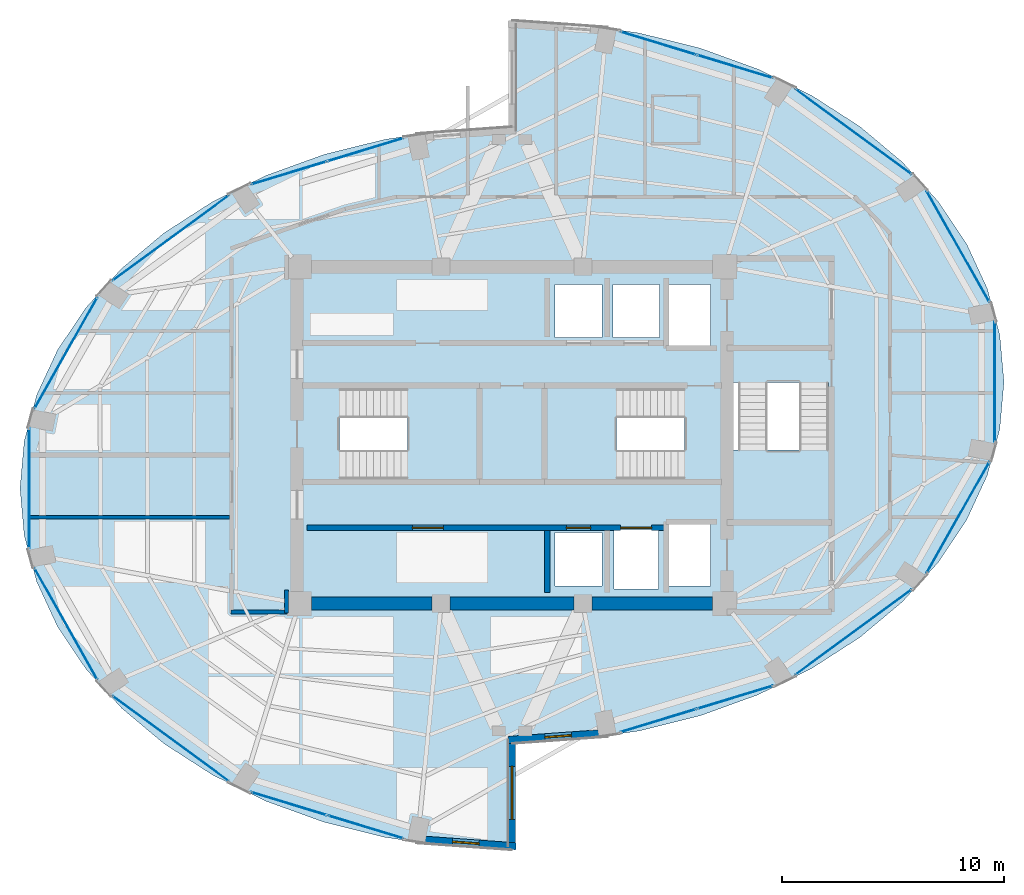
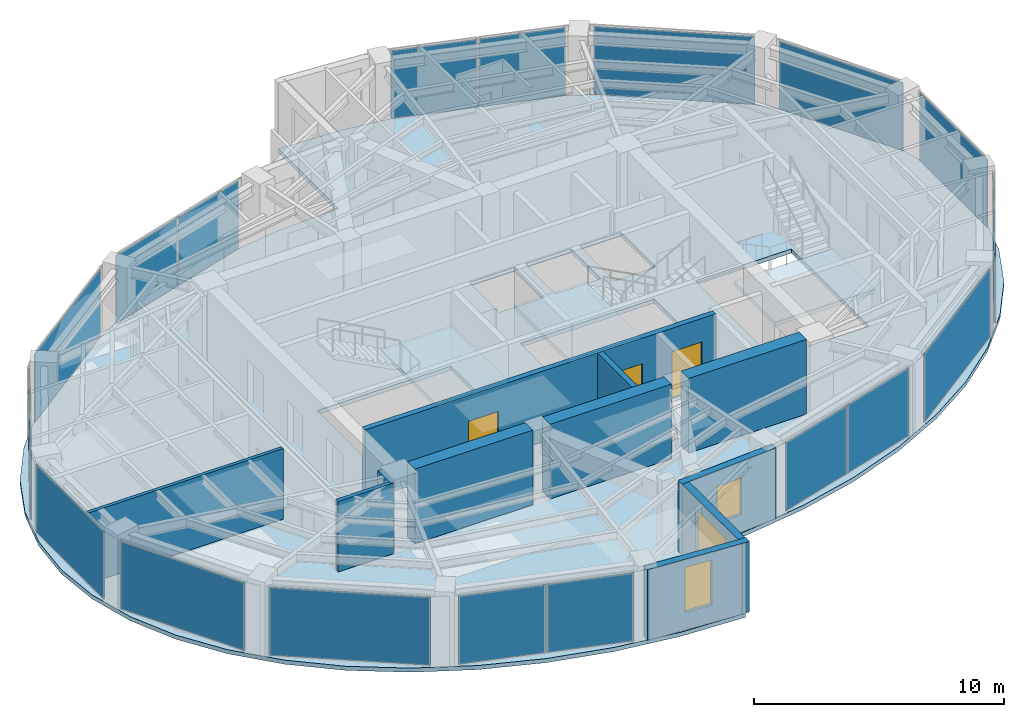
# One storey, part 18 of 23: 18 plates, 11 walls, 4 slabs, 3 doors, 3 windows, 6 openings, 17 elements without a shape of their own.
"""IFC4 building model written with IfcOpenShell, lengths in metres."""

import ifcopenshell
import ifcopenshell.guid

model = None  # the IFC model being written
_history = None  # IfcOwnerHistory: only IFC2X3 demands one
_inside = {}  # id of a spatial element -> (the spatial element, [elements in it])
_under = {}  # id of a project, library or spatial element -> (it, [spatial elements below it])
_declared = {}  # id of a project -> (the project, [libraries it declares])
_typed = {}  # id of a type object -> (the type object, [elements of that type])
_made_of = {}  # id of a material, layer set ... -> (it, [elements and type objects made of it])


def new_model(schema):
    """Start an empty IFC model of exactly this schema.

    Asked for "IFC4X3", IfcOpenShell would pick the latest addendum, in which some entities
    have other attributes; the version numbers below select the first issue.
    IFC2X3 requires an IfcOwnerHistory on every rooted entity: one is made here for all.
    """
    global model, _history
    if schema == "IFC4X3":
        model = ifcopenshell.file(schema_version=(4, 3, 0, 0))
    else:
        model = ifcopenshell.file(schema=schema)
    _inside.clear()
    _under.clear()
    _declared.clear()
    _typed.clear()
    _made_of.clear()
    _history = None
    if model.schema == "IFC2X3":
        org = make("IfcOrganization", Name="unknown")
        user = make(
            "IfcPersonAndOrganization",
            ThePerson=make("IfcPerson", FamilyName="unknown"),
            TheOrganization=org,
        )
        app = make(
            "IfcApplication",
            ApplicationDeveloper=org,
            Version="unknown",
            ApplicationFullName="unknown",
            ApplicationIdentifier="unknown",
        )
        _history = make(
            "IfcOwnerHistory",
            OwningUser=user,
            OwningApplication=app,
            ChangeAction="ADDED",
            CreationDate=0,
        )
    return model


def make(cls, **values):
    """One entity of the class cls with the attributes given. An attribute that is None is left unset."""
    return model.create_entity(
        cls, **{name: value for name, value in values.items() if value is not None}
    )


def rooted(cls, **values):
    """An entity with a GlobalId (a new one), such as an element, a storey or a relation."""
    return make(cls, GlobalId=ifcopenshell.guid.new(), OwnerHistory=_history, **values)


def si_unit(unit_type, name, prefix=None):
    """IfcSIUnit, for example si_unit("LENGTHUNIT", "METRE", prefix="MILLI")."""
    return make("IfcSIUnit", UnitType=unit_type, Prefix=prefix, Name=name)


def assignment(units):
    """IfcUnitAssignment: the units of a project."""
    return None if units is None else make("IfcUnitAssignment", Units=units)


def point(xyz):
    """IfcCartesianPoint."""
    return None if xyz is None else make("IfcCartesianPoint", Coordinates=xyz)


def direction(xyz):
    """IfcDirection."""
    return None if xyz is None else make("IfcDirection", DirectionRatios=xyz)


def frame(location, z_axis=None, x_axis=None):
    """IfcAxis2Placement3D, a coordinate frame: its origin and axes. An axis left out is left unset."""
    return make(
        "IfcAxis2Placement3D",
        Location=point(location),
        Axis=direction(z_axis),
        RefDirection=direction(x_axis),
    )


def frame_2d(location, x_axis=None):
    """IfcAxis2Placement2D, a coordinate frame in the plane: its origin and x axis."""
    return make(
        "IfcAxis2Placement2D", Location=point(location), RefDirection=direction(x_axis)
    )


def origin():
    """The frame at (0, 0, 0) with its axes left unset."""
    return frame((0.0, 0.0, 0.0))


def origin_2d():
    """The frame at (0, 0) in the plane with its x axis left unset."""
    return frame_2d((0.0, 0.0))


def place(relative_to, where):
    """IfcLocalPlacement: puts the frame where relative to a parent placement (None: the world)."""
    return make(
        "IfcLocalPlacement", PlacementRelTo=relative_to, RelativePlacement=where
    )


def context(
    kind, dimensions, precision=None, world=None, true_north=None, identifier=None
):
    """IfcGeometricRepresentationContext, for example the 3D "Model" context."""
    return make(
        "IfcGeometricRepresentationContext",
        ContextIdentifier=identifier,
        ContextType=kind,
        CoordinateSpaceDimension=dimensions,
        Precision=precision,
        WorldCoordinateSystem=world,
        TrueNorth=true_north,
    )


def subcontext(parent, identifier, kind, view, scale=None):
    """IfcGeometricRepresentationSubContext, for example "Body" below "Model"."""
    return make(
        "IfcGeometricRepresentationSubContext",
        ContextIdentifier=identifier,
        ContextType=kind,
        ParentContext=parent,
        TargetScale=scale,
        TargetView=view,
    )


def project(units=None, contexts=None):
    """IfcProject with its units and contexts."""
    return rooted(
        "IfcProject",
        Name="project",
        RepresentationContexts=contexts,
        UnitsInContext=assignment(units),
    )


def spatial(cls, under=None, at=None, **own):
    """A site, building, storey or space (cls), placed at a placement, below another one or the project."""
    s = rooted(cls, ObjectPlacement=at, **own)
    if under is not None:
        _under.setdefault(under.id(), (under, []))[1].append(s)
    return s


def polyline(points):
    """IfcPolyline through the points."""
    return make("IfcPolyline", Points=[point(p) for p in points])


def profile(cls, at=None, kind="AREA", **sizes):
    """A parametric profile (cls). Its sizes go by their IFC names, for example OverallWidth=200.0."""
    return make(cls, ProfileType=kind, Position=at, **sizes)


def rectangle(**sizes):
    """IfcRectangleProfileDef."""
    return profile("IfcRectangleProfileDef", **sizes)


def outline(outer, holes=None, kind="AREA"):
    """IfcArbitraryClosedProfileDef: a profile drawn as a closed curve; with holes, ...WithVoids."""
    if holes is None:
        return make("IfcArbitraryClosedProfileDef", ProfileType=kind, OuterCurve=outer)
    return make(
        "IfcArbitraryProfileDefWithVoids",
        ProfileType=kind,
        OuterCurve=outer,
        InnerCurves=holes,
    )


def extrude(swept, where, along, depth):
    """IfcExtrudedAreaSolid: the profile swept, set in the frame where, extruded along a direction by depth."""
    return make(
        "IfcExtrudedAreaSolid",
        SweptArea=swept,
        Position=where,
        ExtrudedDirection=direction(along),
        Depth=depth,
    )


def shape(context_of_items, identifier, shape_type, items):
    """IfcShapeRepresentation: the items that make up one representation, for example the "Body"."""
    return make(
        "IfcShapeRepresentation",
        ContextOfItems=context_of_items,
        RepresentationIdentifier=identifier,
        RepresentationType=shape_type,
        Items=items,
    )


def material(Name=None, Category=None):
    """IfcMaterial."""
    return make("IfcMaterial", Name=Name, Category=Category)


def layer(
    of_material, thickness, ventilated=None, Name=None, Category=None, Priority=None
):
    """IfcMaterialLayer: one layer of a wall or slab, of a material (None: an air gap)."""
    return make(
        "IfcMaterialLayer",
        Material=of_material,
        LayerThickness=thickness,
        IsVentilated=ventilated,
        Name=Name,
        Category=Category,
        Priority=Priority,
    )


def layer_set(layers, Name=None):
    """IfcMaterialLayerSet."""
    return make("IfcMaterialLayerSet", MaterialLayers=layers, LayerSetName=Name)


def made_of(thing, what):
    """Note that an element or type object is made of a material, layer set ...; save() writes the relation."""
    if what is not None:
        _made_of.setdefault(what.id(), (what, []))[1].append(thing)
    return thing


def type_object(cls, material=None, **own):
    """A type object (cls), such as IfcWallType, which elements share."""
    return made_of(rooted(cls, **own), material)


def element(
    cls,
    number,
    at=None,
    inside=None,
    cuts=None,
    type_object=None,
    material=None,
    context=None,
    identifier="Body",
    shape_type=None,
    held_by="IfcProductDefinitionShape",
    body=None,
    shapes=None,
    **own,
):
    """One element of the class cls, such as IfcWall. Its Tag is "e" and its number.

    at: its placement. inside: the storey or other place that contains it. cuts: it is an
    opening in that element (IfcRelVoidsElement). A single representation is given by context,
    identifier, shape_type and body (its items); several are given by shapes. held_by: the class
    of the entity that holds the representations. save() writes the other relations.
    """
    e = rooted(cls, Tag="e%d" % number, ObjectPlacement=at, **own)
    if body is not None:
        shapes = [shape(context, identifier, shape_type, body)]
    if shapes is not None:
        e.Representation = make(held_by, Representations=shapes)
    if inside is not None:
        _inside.setdefault(inside.id(), (inside, []))[1].append(e)
    if cuts is not None:
        rooted(
            "IfcRelVoidsElement", RelatingBuildingElement=cuts, RelatedOpeningElement=e
        )
    if type_object is not None:
        _typed.setdefault(type_object.id(), (type_object, []))[1].append(e)
    return made_of(e, material)


def fill(opening, filler):
    """IfcRelFillsElement: the door or window that sits in an opening."""
    return rooted(
        "IfcRelFillsElement",
        RelatingOpeningElement=opening,
        RelatedBuildingElement=filler,
    )


def aggregate(whole, parts):
    """IfcRelAggregates: a whole, such as a stair, and the parts it consists of."""
    return rooted("IfcRelAggregates", RelatingObject=whole, RelatedObjects=parts)


def save(model, path):
    """Write the relations noted so far, then the file.

    IfcRelAggregates (storeys below a building ...), IfcRelContainedInSpatialStructure (elements
    in a storey), IfcRelDefinesByType, IfcRelAssociatesMaterial and IfcRelDeclares: one each for
    every whole, place, type object, material and project.
    """
    for whole, parts in _under.values():
        aggregate(whole, parts)
    for where, things in _inside.values():
        rooted(
            "IfcRelContainedInSpatialStructure",
            RelatedElements=things,
            RelatingStructure=where,
        )
    for kind, things in _typed.values():
        rooted("IfcRelDefinesByType", RelatedObjects=things, RelatingType=kind)
    for what, things in _made_of.values():
        rooted("IfcRelAssociatesMaterial", RelatedObjects=things, RelatingMaterial=what)
    for by, libraries in _declared.values():
        rooted("IfcRelDeclares", RelatingContext=by, RelatedDefinitions=libraries)
    model.write(path)


model = new_model("IFC4")

# Units and contexts
model_context = context("Model", 3, precision=1e-05, world=origin(), true_north=direction((0.0, 1.0)))
body_context = subcontext(model_context, "Body", "Model", "MODEL_VIEW")
ifc_project = project(units=[si_unit("LENGTHUNIT", "METRE"), si_unit("AREAUNIT", "SQUARE_METRE"), si_unit("VOLUMEUNIT", "CUBIC_METRE"), si_unit("PLANEANGLEUNIT", "RADIAN"), si_unit("MASSUNIT", "GRAM", prefix="KILO")], contexts=[model_context])

# Site, building, storey
site_placement = place(None, origin())
site = spatial("IfcSite", under=ifc_project, at=site_placement, CompositionType="ELEMENT")
building_placement = place(site_placement, origin())
building = spatial("IfcBuilding", under=site, at=building_placement, Name="Lazwardi Medical Tower", CompositionType="ELEMENT")
storey_placement = place(building_placement, frame((0.0, 0.0, 198.47998046875)))
storey = spatial("IfcBuildingStorey", under=building, at=storey_placement, Name="L51", CompositionType="ELEMENT", Elevation=198.47998046875)

# Curtain wall, plates
ifc_material_1 = material(Name="Anodised bronze aluminium and solar control glazing", Category="aluminium")
ifc_layer_1 = layer(ifc_material_1, 0.18994140625)
ifc_layer_set_1 = layer_set([ifc_layer_1], Name="Anodised bronze aluminium and solar control glazing")
curtain_wall_type = type_object("IfcCurtainWallType", Name="CW-SYS-04", PredefinedType="NOTDEFINED", material=ifc_layer_set_1)
curtain_wall_1_placement = place(storey_placement, origin())
curtain_wall_1 = element("IfcCurtainWall", 1, at=curtain_wall_1_placement, inside=storey, type_object=curtain_wall_type, Name="L51 Unitised bronze curtain wall CW-04", PredefinedType="NOTDEFINED")
ifc_material_2 = material(Name="Low-e bronze solar control double glazing", Category="glass")
ifc_layer_2 = layer(ifc_material_2, 0.035888671875)
ifc_layer_set_2 = layer_set([ifc_layer_2], Name="Low-e bronze solar control double glazing")
plate_type = type_object("IfcPlateType", Name="PLT-GLZ-01", PredefinedType="CURTAIN_PANEL", material=ifc_layer_set_2)
plate_1_placement = place(storey_placement, frame((42.604736328125, 15.118896484375, 0.06494140625), z_axis=(0.0, 0.0, 1.0), x_axis=(0.956850126972, 0.290581889515, 0.0)))
plate_1 = element("IfcPlate", 2, at=plate_1_placement, type_object=plate_type, Name="CW-04 panel 1.1", PredefinedType="CURTAIN_PANEL", context=body_context, shape_type="SweptSolid", body=[
    extrude(rectangle(XDim=3.554443359375, YDim=0.035888671875, at=origin_2d()), origin(), (0.0, 0.0, 1.0), 3.318115234375),
])
plate_2_placement = place(storey_placement, frame((46.068115234375, 16.170654296875, 0.06494140625), z_axis=(0.0, 0.0, 1.0), x_axis=(0.956850126972, 0.290581889515, 0.0)))
plate_2 = element("IfcPlate", 3, at=plate_2_placement, type_object=plate_type, Name="CW-04 panel 2.1", PredefinedType="CURTAIN_PANEL", context=body_context, shape_type="SweptSolid", body=[
    extrude(rectangle(XDim=3.554443359375, YDim=0.035888671875, at=origin_2d()), origin(), (0.0, 0.0, 1.0), 3.318115234375),
])
aggregate(curtain_wall_1, [plate_1, plate_2])

# Curtain wall, plate
curtain_wall_2_placement = place(storey_placement, origin())
curtain_wall_2 = element("IfcCurtainWall", 4, at=curtain_wall_2_placement, inside=storey, type_object=curtain_wall_type, Name="L51 Unitised bronze curtain wall CW-04", PredefinedType="NOTDEFINED")
plate_3_placement = place(storey_placement, frame((51.403564453125, 19.106689453125, 0.06494140625), z_axis=(0.0, 0.0, 1.0), x_axis=(0.806474971121, 0.591268230971, 0.0)))
plate_3 = element("IfcPlate", 5, at=plate_3_placement, type_object=plate_type, Name="CW-04 panel 1.1", PredefinedType="CURTAIN_PANEL", context=body_context, shape_type="SweptSolid", body=[
    extrude(rectangle(XDim=6.502685546875, YDim=0.035888671875, at=origin_2d()), origin(), (0.0, 0.0, 1.0), 3.318115234375),
])
aggregate(curtain_wall_2, [plate_3])

curtain_wall_3_placement = place(storey_placement, origin())
curtain_wall_3 = element("IfcCurtainWall", 6, at=curtain_wall_3_placement, inside=storey, type_object=curtain_wall_type, Name="L51 Unitised bronze curtain wall CW-04", PredefinedType="NOTDEFINED")
plate_4_placement = place(storey_placement, frame((56.125732421875, 24.2880859375, 0.06494140625), z_axis=(0.0, 0.0, 1.0), x_axis=(0.491900474661, 0.870651436011, 0.0)))
plate_4 = element("IfcPlate", 7, at=plate_4_placement, type_object=plate_type, Name="CW-04 panel 1.1", PredefinedType="CURTAIN_PANEL", context=body_context, shape_type="SweptSolid", body=[
    extrude(rectangle(XDim=5.755126953125, YDim=0.035888671875, at=origin_2d()), origin(), (0.0, 0.0, 1.0), 3.318115234375),
])
aggregate(curtain_wall_3, [plate_4])

curtain_wall_4_placement = place(storey_placement, origin())
curtain_wall_4 = element("IfcCurtainWall", 8, at=curtain_wall_4_placement, inside=storey, type_object=curtain_wall_type, Name="L51 Unitised bronze curtain wall CW-04", PredefinedType="NOTDEFINED")
plate_5_placement = place(storey_placement, frame((57.7841796875, 30.39990234375, 0.06494140625), z_axis=(0.0, 0.0, 1.0), x_axis=(0.0, 1.0, 0.0)))
plate_5 = element("IfcPlate", 9, at=plate_5_placement, type_object=plate_type, Name="CW-04 panel 1.1", PredefinedType="CURTAIN_PANEL", context=body_context, shape_type="SweptSolid", body=[
    extrude(rectangle(XDim=5.416015625, YDim=0.035888671875, at=origin_2d()), origin(), (0.0, 0.0, 1.0), 3.318115234375),
])
aggregate(curtain_wall_4, [plate_5])

curtain_wall_5_placement = place(storey_placement, origin())
curtain_wall_5 = element("IfcCurtainWall", 10, at=curtain_wall_5_placement, inside=storey, type_object=curtain_wall_type, Name="L51 Unitised bronze curtain wall CW-04", PredefinedType="NOTDEFINED")
plate_6_placement = place(storey_placement, frame((56.125732421875, 36.511962890625, 0.06494140625), z_axis=(0.0, 0.0, 1.0), x_axis=(-0.491900474661, 0.870651436011, 0.0)))
plate_6 = element("IfcPlate", 11, at=plate_6_placement, type_object=plate_type, Name="CW-04 panel 1.1", PredefinedType="CURTAIN_PANEL", context=body_context, shape_type="SweptSolid", body=[
    extrude(rectangle(XDim=5.755126953125, YDim=0.035888671875, at=origin_2d()), origin(), (0.0, 0.0, 1.0), 3.318115234375),
])
aggregate(curtain_wall_5, [plate_6])

curtain_wall_6_placement = place(storey_placement, origin())
curtain_wall_6 = element("IfcCurtainWall", 12, at=curtain_wall_6_placement, inside=storey, type_object=curtain_wall_type, Name="L51 Unitised bronze curtain wall CW-04", PredefinedType="NOTDEFINED")
plate_7_placement = place(storey_placement, frame((51.403564453125, 41.693359375, 0.06494140625), z_axis=(0.0, 0.0, 1.0), x_axis=(-0.806474971121, 0.591268230971, 0.0)))
plate_7 = element("IfcPlate", 13, at=plate_7_placement, type_object=plate_type, Name="CW-04 panel 1.1", PredefinedType="CURTAIN_PANEL", context=body_context, shape_type="SweptSolid", body=[
    extrude(rectangle(XDim=6.502685546875, YDim=0.035888671875, at=origin_2d()), origin(), (0.0, 0.0, 1.0), 3.318115234375),
])
aggregate(curtain_wall_6, [plate_7])

# Curtain wall, plates
curtain_wall_7_placement = place(storey_placement, origin())
curtain_wall_7 = element("IfcCurtainWall", 14, at=curtain_wall_7_placement, inside=storey, type_object=curtain_wall_type, Name="L51 Unitised bronze curtain wall CW-04", PredefinedType="NOTDEFINED")
plate_8_placement = place(storey_placement, frame((46.068115234375, 44.62939453125, 0.06494140625), z_axis=(0.0, 0.0, 1.0), x_axis=(-0.956850126972, 0.290581889515, 0.0)))
plate_8 = element("IfcPlate", 15, at=plate_8_placement, type_object=plate_type, Name="CW-04 panel 1.1", PredefinedType="CURTAIN_PANEL", context=body_context, shape_type="SweptSolid", body=[
    extrude(rectangle(XDim=3.554443359375, YDim=0.035888671875, at=origin_2d()), origin(), (0.0, 0.0, 1.0), 3.318115234375),
])
plate_9_placement = place(storey_placement, frame((42.604736328125, 45.68115234375, 0.06494140625), z_axis=(0.0, 0.0, 1.0), x_axis=(-0.956850126972, 0.290581889515, 0.0)))
plate_9 = element("IfcPlate", 16, at=plate_9_placement, type_object=plate_type, Name="CW-04 panel 2.1", PredefinedType="CURTAIN_PANEL", context=body_context, shape_type="SweptSolid", body=[
    extrude(rectangle(XDim=3.554443359375, YDim=0.035888671875, at=origin_2d()), origin(), (0.0, 0.0, 1.0), 3.318115234375),
])
aggregate(curtain_wall_7, [plate_8, plate_9])

curtain_wall_8_placement = place(storey_placement, origin())
curtain_wall_8 = element("IfcCurtainWall", 17, at=curtain_wall_8_placement, inside=storey, type_object=curtain_wall_type, Name="L51 Unitised bronze curtain wall CW-04", PredefinedType="NOTDEFINED")
plate_10_placement = place(storey_placement, frame((29.395263671875, 40.881103515625, 0.06494140625), z_axis=(0.0, 0.0, 1.0), x_axis=(-0.956850126972, -0.290581889515, 0.0)))
plate_10 = element("IfcPlate", 18, at=plate_10_placement, type_object=plate_type, Name="CW-04 panel 1.1", PredefinedType="CURTAIN_PANEL", context=body_context, shape_type="SweptSolid", body=[
    extrude(rectangle(XDim=3.554443359375, YDim=0.035888671875, at=origin_2d()), origin(), (0.0, 0.0, 1.0), 3.318115234375),
])
plate_11_placement = place(storey_placement, frame((25.931884765625, 39.829345703125, 0.06494140625), z_axis=(0.0, 0.0, 1.0), x_axis=(-0.956850126972, -0.290581889515, 0.0)))
plate_11 = element("IfcPlate", 19, at=plate_11_placement, type_object=plate_type, Name="CW-04 panel 2.1", PredefinedType="CURTAIN_PANEL", context=body_context, shape_type="SweptSolid", body=[
    extrude(rectangle(XDim=3.554443359375, YDim=0.035888671875, at=origin_2d()), origin(), (0.0, 0.0, 1.0), 3.318115234375),
])
aggregate(curtain_wall_8, [plate_10, plate_11])

# Curtain wall, plate
curtain_wall_9_placement = place(storey_placement, origin())
curtain_wall_9 = element("IfcCurtainWall", 20, at=curtain_wall_9_placement, inside=storey, type_object=curtain_wall_type, Name="L51 Unitised bronze curtain wall CW-04", PredefinedType="NOTDEFINED")
plate_12_placement = place(storey_placement, frame((20.596435546875, 36.893310546875, 0.06494140625), z_axis=(0.0, 0.0, 1.0), x_axis=(-0.806474971121, -0.591268230971, 0.0)))
plate_12 = element("IfcPlate", 21, at=plate_12_placement, type_object=plate_type, Name="CW-04 panel 1.1", PredefinedType="CURTAIN_PANEL", context=body_context, shape_type="SweptSolid", body=[
    extrude(rectangle(XDim=6.502685546875, YDim=0.035888671875, at=origin_2d()), origin(), (0.0, 0.0, 1.0), 3.318115234375),
])
aggregate(curtain_wall_9, [plate_12])

curtain_wall_10_placement = place(storey_placement, origin())
curtain_wall_10 = element("IfcCurtainWall", 22, at=curtain_wall_10_placement, inside=storey, type_object=curtain_wall_type, Name="L51 Unitised bronze curtain wall CW-04", PredefinedType="NOTDEFINED")
plate_13_placement = place(storey_placement, frame((15.874267578125, 31.7119140625, 0.06494140625), z_axis=(0.0, 0.0, 1.0), x_axis=(-0.491900474661, -0.870651436011, 0.0)))
plate_13 = element("IfcPlate", 23, at=plate_13_placement, type_object=plate_type, Name="CW-04 panel 1.1", PredefinedType="CURTAIN_PANEL", context=body_context, shape_type="SweptSolid", body=[
    extrude(rectangle(XDim=5.755126953125, YDim=0.035888671875, at=origin_2d()), origin(), (0.0, 0.0, 1.0), 3.318115234375),
])
aggregate(curtain_wall_10, [plate_13])

curtain_wall_11_placement = place(storey_placement, origin())
curtain_wall_11 = element("IfcCurtainWall", 24, at=curtain_wall_11_placement, inside=storey, type_object=curtain_wall_type, Name="L51 Unitised bronze curtain wall CW-04", PredefinedType="NOTDEFINED")
plate_14_placement = place(storey_placement, frame((14.2158203125, 25.60009765625, 0.06494140625), z_axis=(0.0, 0.0, 1.0), x_axis=(0.0, -1.0, 0.0)))
plate_14 = element("IfcPlate", 25, at=plate_14_placement, type_object=plate_type, Name="CW-04 panel 1.1", PredefinedType="CURTAIN_PANEL", context=body_context, shape_type="SweptSolid", body=[
    extrude(rectangle(XDim=5.416015625, YDim=0.035888671875, at=origin_2d()), origin(), (0.0, 0.0, 1.0), 3.318115234375),
])
aggregate(curtain_wall_11, [plate_14])

curtain_wall_12_placement = place(storey_placement, origin())
curtain_wall_12 = element("IfcCurtainWall", 26, at=curtain_wall_12_placement, inside=storey, type_object=curtain_wall_type, Name="L51 Unitised bronze curtain wall CW-04", PredefinedType="NOTDEFINED")
plate_15_placement = place(storey_placement, frame((15.874267578125, 19.488037109375, 0.06494140625), z_axis=(0.0, 0.0, 1.0), x_axis=(0.491900474661, -0.870651436011, 0.0)))
plate_15 = element("IfcPlate", 27, at=plate_15_placement, type_object=plate_type, Name="CW-04 panel 1.1", PredefinedType="CURTAIN_PANEL", context=body_context, shape_type="SweptSolid", body=[
    extrude(rectangle(XDim=5.755126953125, YDim=0.035888671875, at=origin_2d()), origin(), (0.0, 0.0, 1.0), 3.318115234375),
])
aggregate(curtain_wall_12, [plate_15])

curtain_wall_13_placement = place(storey_placement, origin())
curtain_wall_13 = element("IfcCurtainWall", 28, at=curtain_wall_13_placement, inside=storey, type_object=curtain_wall_type, Name="L51 Unitised bronze curtain wall CW-04", PredefinedType="NOTDEFINED")
plate_16_placement = place(storey_placement, frame((20.596435546875, 14.306640625, 0.06494140625), z_axis=(0.0, 0.0, 1.0), x_axis=(0.806474971121, -0.591268230971, 0.0)))
plate_16 = element("IfcPlate", 29, at=plate_16_placement, type_object=plate_type, Name="CW-04 panel 1.1", PredefinedType="CURTAIN_PANEL", context=body_context, shape_type="SweptSolid", body=[
    extrude(rectangle(XDim=6.502685546875, YDim=0.035888671875, at=origin_2d()), origin(), (0.0, 0.0, 1.0), 3.318115234375),
])
aggregate(curtain_wall_13, [plate_16])

# Curtain wall, plates
curtain_wall_14_placement = place(storey_placement, origin())
curtain_wall_14 = element("IfcCurtainWall", 30, at=curtain_wall_14_placement, inside=storey, type_object=curtain_wall_type, Name="L51 Unitised bronze curtain wall CW-04", PredefinedType="NOTDEFINED")
plate_17_placement = place(storey_placement, frame((25.931884765625, 11.37060546875, 0.06494140625), z_axis=(0.0, 0.0, 1.0), x_axis=(0.956850126972, -0.290581889515, 0.0)))
plate_17 = element("IfcPlate", 31, at=plate_17_placement, type_object=plate_type, Name="CW-04 panel 1.1", PredefinedType="CURTAIN_PANEL", context=body_context, shape_type="SweptSolid", body=[
    extrude(rectangle(XDim=3.554443359375, YDim=0.035888671875, at=origin_2d()), origin(), (0.0, 0.0, 1.0), 3.318115234375),
])
plate_18_placement = place(storey_placement, frame((29.395263671875, 10.31884765625, 0.06494140625), z_axis=(0.0, 0.0, 1.0), x_axis=(0.956850126972, -0.290581889515, 0.0)))
plate_18 = element("IfcPlate", 32, at=plate_18_placement, type_object=plate_type, Name="CW-04 panel 2.1", PredefinedType="CURTAIN_PANEL", context=body_context, shape_type="SweptSolid", body=[
    extrude(rectangle(XDim=3.554443359375, YDim=0.035888671875, at=origin_2d()), origin(), (0.0, 0.0, 1.0), 3.318115234375),
])
aggregate(curtain_wall_14, [plate_17, plate_18])

# Stair, slab
ifc_material_3 = material(Name="Concrete C45/55", Category="concrete")
stair_type = type_object("IfcStairType", Name="STR-WRD", PredefinedType="HALF_TURN_STAIR", material=ifc_material_3)
stair_1_placement = place(storey_placement, origin())
stair_1 = element("IfcStair", 33, at=stair_1_placement, inside=storey, type_object=stair_type, Name="L51 Protected Exit Stair ST1", PredefinedType="HALF_TURN_STAIR")
ifc_layer_3 = layer(ifc_material_3, 0.199951171875)
ifc_layer_set_3 = layer_set([ifc_layer_3], Name="Concrete C45/55")
slab_type_1 = type_object("IfcSlabType", Name="SLB-LND-190", PredefinedType="LANDING", material=ifc_layer_set_3)
slab_1_placement = place(storey_placement, frame((0.0, 0.0, 1.6240234375)))
slab_1 = element("IfcSlab", 34, at=slab_1_placement, type_object=slab_type_1, Name="ST1 landing 1", PredefinedType="LANDING", context=body_context, shape_type="SweptSolid", body=[
    extrude(outline(polyline([(31.27490234375, 25.840087890625), (34.580078125, 25.840087890625), (34.580078125, 30.280029296875), (31.27490234375, 30.280029296875), (31.27490234375, 25.840087890625)])), origin(), (0.0, 0.0, 1.0), 0.199951171875),
])
aggregate(stair_1, [slab_1])

stair_2_placement = place(storey_placement, origin())
stair_2 = element("IfcStair", 35, at=stair_2_placement, inside=storey, type_object=stair_type, Name="L51 Protected Exit Stair ST2", PredefinedType="HALF_TURN_STAIR")
slab_2_placement = place(storey_placement, frame((0.0, 0.0, 1.6240234375)))
slab_2 = element("IfcSlab", 36, at=slab_2_placement, type_object=slab_type_1, Name="ST2 landing 1", PredefinedType="LANDING", context=body_context, shape_type="SweptSolid", body=[
    extrude(outline(polyline([(40.72509765625, 30.280029296875), (37.419921875, 30.280029296875), (37.419921875, 25.840087890625), (40.72509765625, 25.840087890625), (40.72509765625, 30.280029296875)])), origin(), (0.0, 0.0, 1.0), 0.199951171875),
])
aggregate(stair_2, [slab_2])

stair_3_placement = place(storey_placement, origin())
stair_3 = element("IfcStair", 37, at=stair_3_placement, inside=storey, type_object=stair_type, Name="L51 Protected Exit Stair ST3", PredefinedType="HALF_TURN_STAIR")
slab_3_placement = place(storey_placement, frame((0.0, 0.0, 1.6240234375)))
slab_3 = element("IfcSlab", 38, at=slab_3_placement, type_object=slab_type_1, Name="ST3 landing 1", PredefinedType="LANDING", context=body_context, shape_type="SweptSolid", body=[
    extrude(outline(polyline([(45.860107421875, 27.324951171875), (45.860107421875, 24.02001953125), (50.4599609375, 24.02001953125), (50.4599609375, 27.324951171875), (45.860107421875, 27.324951171875)])), origin(), (0.0, 0.0, 1.0), 0.199951171875),
])
aggregate(stair_3, [slab_3])

# Slab
ifc_material_4 = material(Name="Concrete C50/60", Category="concrete")
ifc_layer_4 = layer(ifc_material_4, 0.199951171875)
ifc_layer_set_4 = layer_set([ifc_layer_4], Name="Concrete C50/60")
slab_type_2 = type_object("IfcSlabType", Name="SLB-UPP-200", PredefinedType="FLOOR", material=ifc_layer_set_4)
slab_4_placement = place(storey_placement, frame((0.0, 0.0, -0.199951171875)))
element("IfcSlab", 39, at=slab_4_placement, inside=storey, type_object=slab_type_2, Name="Structural floor slab SF-04 L51", PredefinedType="FLOOR", context=body_context, shape_type="SweptSolid", body=[
    extrude(outline(polyline([(18.3876953125, 15.67724609375), (20.30224609375, 14.07421875), (22.485595703125, 12.668212890625), (24.89990234375, 11.48388671875), (27.50439453125, 10.540771484375), (30.254150390625, 9.85546875), (33.102294921875, 9.439453125), (36.0, 9.300048828125), (36.0, 14.10009765625), (38.897705078125, 14.239501953125), (41.745849609375, 14.655517578125), (44.49560546875, 15.3408203125), (47.10009765625, 16.28369140625), (49.514404296875, 17.46826171875), (51.69775390625, 18.874267578125), (53.6123046875, 20.477294921875), (55.225830078125, 22.25), (56.510009765625, 24.162353515625), (57.443603515625, 26.18115234375), (58.010009765625, 28.2724609375), (58.199951171875, 30.39990234375), (58.010009765625, 32.527587890625), (57.443603515625, 34.618896484375), (56.510009765625, 36.6376953125), (55.225830078125, 38.550048828125), (53.6123046875, 40.32275390625), (51.69775390625, 41.92578125), (49.514404296875, 43.331787109375), (47.10009765625, 44.51611328125), (44.49560546875, 45.459228515625), (41.745849609375, 46.14453125), (38.897705078125, 46.560546875), (36.0, 46.699951171875), (36.0, 41.89990234375), (33.102294921875, 41.760498046875), (30.254150390625, 41.344482421875), (27.50439453125, 40.6591796875), (24.89990234375, 39.71630859375), (22.485595703125, 38.53173828125), (20.30224609375, 37.125732421875), (18.3876953125, 35.522705078125), (16.774169921875, 33.75), (15.489990234375, 31.837646484375), (14.556396484375, 29.81884765625), (13.989990234375, 27.7275390625), (13.800048828125, 25.60009765625), (13.989990234375, 23.472412109375), (14.556396484375, 21.381103515625), (15.489990234375, 19.3623046875), (16.774169921875, 17.449951171875), (18.3876953125, 15.67724609375)]), holes=[polyline([(28.22509765625, 26.02001953125), (28.22509765625, 30.10009765625), (34.39990234375, 30.10009765625), (34.39990234375, 26.02001953125), (28.22509765625, 26.02001953125)]), polyline([(37.60009765625, 30.10009765625), (43.77490234375, 30.10009765625), (43.77490234375, 26.02001953125), (37.60009765625, 26.02001953125), (37.60009765625, 30.10009765625)]), polyline([(50.280029296875, 30.375), (50.280029296875, 24.179931640625), (45.840087890625, 24.179931640625), (45.840087890625, 30.375), (50.280029296875, 30.375)]), polyline([(40.050048828125, 32.39990234375), (37.949951171875, 32.39990234375), (37.949951171875, 34.800048828125), (40.050048828125, 34.800048828125), (40.050048828125, 32.39990234375)]), polyline([(40.550048828125, 32.39990234375), (40.550048828125, 34.800048828125), (42.64990234375, 34.800048828125), (42.64990234375, 32.39990234375), (40.550048828125, 32.39990234375)]), polyline([(37.949951171875, 23.60009765625), (40.050048828125, 23.60009765625), (40.050048828125, 21.199951171875), (37.949951171875, 21.199951171875), (37.949951171875, 23.60009765625)]), polyline([(44.949951171875, 34.800048828125), (44.949951171875, 32.0), (43.050048828125, 32.0), (43.050048828125, 34.800048828125), (44.949951171875, 34.800048828125)]), polyline([(44.949951171875, 21.199951171875), (43.050048828125, 21.199951171875), (43.050048828125, 24.0), (44.949951171875, 24.0), (44.949951171875, 21.199951171875)]), polyline([(40.60009765625, 21.050048828125), (40.60009765625, 23.75), (42.60009765625, 23.75), (42.60009765625, 21.050048828125), (40.60009765625, 21.050048828125)])]), origin(), (0.0, 0.0, 1.0), 0.199951171875),
])

# Walls
ifc_material_5 = material(Name="Fire-rated gypsum board on steel stud", Category="steel")
ifc_layer_5 = layer(ifc_material_5, 0.179931640625)
ifc_layer_set_5 = layer_set([ifc_layer_5], Name="Fire-rated gypsum board on steel stud")
wall_type_1 = type_object("IfcWallType", Name="WL-COR-180", PredefinedType="PARTITIONING", material=ifc_layer_set_5)
wall_1_placement = place(storey_placement, frame((25.830078125, 21.010009765625, 0.0), z_axis=(0.0, 0.0, 1.0), x_axis=(0.0, -1.0, 0.0)))
element("IfcWall", 40, at=wall_1_placement, inside=storey, type_object=wall_type_1, Name="L51 Corridor partition 8", PredefinedType="PARTITIONING", context=body_context, shape_type="SweptSolid", body=[
    extrude(rectangle(XDim=1.030029296875, YDim=0.179931640625, at=frame_2d((0.51513671875, 0.0))), origin(), (0.0, 0.0, 1.0), 3.447998046875),
])
wall_2_placement = place(storey_placement, frame((25.8701171875, 20.02001953125, 0.0), z_axis=(0.0, 0.0, 1.0), x_axis=(-1.0, 0.0, 0.0)))
element("IfcWall", 41, at=wall_2_placement, inside=storey, type_object=wall_type_1, Name="L51 Corridor partition 9", PredefinedType="PARTITIONING", context=body_context, shape_type="SweptSolid", body=[
    extrude(rectangle(XDim=2.56005859375, YDim=0.179931640625, at=frame_2d((1.280029296875, 0.0))), origin(), (0.0, 0.0, 1.0), 3.447998046875),
])
ifc_material_6 = material(Name="Concrete C60/75", Category="concrete")
ifc_layer_6 = layer(ifc_material_6, 0.60009765625)
ifc_layer_set_6 = layer_set([ifc_layer_6], Name="Concrete C60/75")
wall_type_2 = type_object("IfcWallType", Name="WL-CORE-600", PredefinedType="SHEAR", material=ifc_layer_set_6)
wall_3_placement = place(storey_placement, frame((26.949951171875, 20.39990234375, 0.0), z_axis=(0.0, 0.0, 1.0), x_axis=(1.0, 0.0, 0.0)))
element("IfcWall", 42, at=wall_3_placement, inside=storey, type_object=wall_type_2, Name="Core wall CW-S3 S1 L51", PredefinedType="SHEAR", context=body_context, shape_type="SweptSolid", body=[
    extrude(rectangle(XDim=5.449951171875, YDim=0.60009765625, at=frame_2d((2.72509765625, 0.0))), origin(), (0.0, 0.0, 1.0), 3.64794921875),
])
wall_4_placement = place(storey_placement, frame((33.199951171875, 20.39990234375, 0.0), z_axis=(0.0, 0.0, 1.0), x_axis=(1.0, 0.0, 0.0)))
element("IfcWall", 43, at=wall_4_placement, inside=storey, type_object=wall_type_2, Name="Core wall CW-S3 S2 L51", PredefinedType="SHEAR", context=body_context, shape_type="SweptSolid", body=[
    extrude(rectangle(XDim=5.60009765625, YDim=0.60009765625, at=frame_2d((2.800048828125, 0.0))), origin(), (0.0, 0.0, 1.0), 3.64794921875),
])
wall_5_placement = place(storey_placement, frame((39.60009765625, 20.39990234375, 0.0), z_axis=(0.0, 0.0, 1.0), x_axis=(1.0, 0.0, 0.0)))
element("IfcWall", 44, at=wall_5_placement, inside=storey, type_object=wall_type_2, Name="Core wall CW-S3 S3 L51", PredefinedType="SHEAR", context=body_context, shape_type="SweptSolid", body=[
    extrude(rectangle(XDim=5.449951171875, YDim=0.60009765625, at=frame_2d((2.72509765625, 0.0))), origin(), (0.0, 0.0, 1.0), 3.64794921875),
])

# Wall, opening, window
ifc_material_7 = material(Name="Precast concrete C45/55", Category="concrete")
ifc_layer_7 = layer(ifc_material_7, 0.320068359375)
ifc_layer_set_7 = layer_set([ifc_layer_7], Name="Precast concrete C45/55")
wall_type_3 = type_object("IfcWallType", Name="WL-IWAN-320", PredefinedType="SOLIDWALL", material=ifc_layer_set_7)
wall_6_placement = place(storey_placement, frame((35.820556640625, 14.2470703125, 0.0), z_axis=(0.0, 0.0, 1.0), x_axis=(0.997409061056, 0.071938619141, 0.0)))
wall_6 = element("IfcWall", 45, at=wall_6_placement, inside=storey, type_object=wall_type_3, Name="L51 Iwan Portal Return Wall SE_ret", PredefinedType="SOLIDWALL", context=body_context, shape_type="SweptSolid", body=[
    extrude(rectangle(XDim=4.540771484375, YDim=0.320068359375, at=frame_2d((2.2705078125, 0.0))), origin(), (0.0, 0.0, 1.0), 3.447998046875),
])
opening_1_placement = place(wall_6_placement, frame((1.67041015625, 0.0, 0.85009765625)))
opening_1 = element("IfcOpeningElement", 46, at=opening_1_placement, cuts=wall_6, Name="Opening WN-04", PredefinedType="OPENING", context=body_context, shape_type="SweptSolid", body=[
    extrude(rectangle(XDim=1.199951171875, YDim=1.800048828125, at=frame_2d((0.60009765625, 0.89990234375))), frame((0.0, 0.169921875, 0.0), z_axis=(0.0, -1.0, 0.0), x_axis=(1.0, 0.0, 0.0)), (0.0, 0.0, 1.0), 0.340087890625),
])
window_type_1 = type_object("IfcWindowType", Name="WIN-DRUM-1200", PartitioningType="SINGLE_PANEL", PredefinedType="WINDOW", material=ifc_material_2)
window_1_placement = place(opening_1_placement, origin())
window_1 = element("IfcWindow", 47, at=window_1_placement, inside=storey, type_object=window_type_1, Name="L51 Iwan Slot Window SE_ret", OverallHeight=1.800048828125, OverallWidth=1.199951171875, PartitioningType="SINGLE_PANEL", PredefinedType="WINDOW", context=body_context, shape_type="SweptSolid", body=[
    extrude(rectangle(XDim=1.199951171875, YDim=1.800048828125, at=frame_2d((0.60009765625, 0.89990234375))), frame((0.0, 0.030029296875, 0.0), z_axis=(0.0, -1.0, 0.0), x_axis=(1.0, 0.0, 0.0)), (0.0, 0.0, 1.0), 0.06005859375),
])
fill(opening_1, window_1)

wall_7_placement = place(storey_placement, frame((31.650390625, 9.773681640625, 0.0), z_axis=(0.0, 0.0, 1.0), x_axis=(0.997408782787, -0.071942477163, 0.0)))
wall_7 = element("IfcWall", 48, at=wall_7_placement, inside=storey, type_object=wall_type_3, Name="L51 Iwan Portal Return Wall SW_ret", PredefinedType="SOLIDWALL", context=body_context, shape_type="SweptSolid", body=[
    extrude(rectangle(XDim=4.54052734375, YDim=0.320068359375, at=frame_2d((2.270263671875, 0.0))), origin(), (0.0, 0.0, 1.0), 3.447998046875),
])
opening_2_placement = place(wall_7_placement, frame((1.67041015625, 0.0, 0.85009765625)))
opening_2 = element("IfcOpeningElement", 49, at=opening_2_placement, cuts=wall_7, Name="Opening WN-01", PredefinedType="OPENING", context=body_context, shape_type="SweptSolid", body=[
    extrude(rectangle(XDim=1.199951171875, YDim=2.199951171875, at=frame_2d((0.60009765625, 1.10009765625))), frame((0.0, 0.169921875, 0.0), z_axis=(0.0, -1.0, 0.0), x_axis=(1.0, 0.0, 0.0)), (0.0, 0.0, 1.0), 0.340087890625),
])
window_type_2 = type_object("IfcWindowType", Name="WIN-IW-1200", PartitioningType="SINGLE_PANEL", PredefinedType="WINDOW", material=ifc_material_2)
window_2_placement = place(opening_2_placement, origin())
window_2 = element("IfcWindow", 50, at=window_2_placement, inside=storey, type_object=window_type_2, Name="L51 Iwan Slot Window SW_ret", OverallHeight=2.199951171875, OverallWidth=1.199951171875, PartitioningType="SINGLE_PANEL", PredefinedType="WINDOW", context=body_context, shape_type="SweptSolid", body=[
    extrude(rectangle(XDim=1.199951171875, YDim=2.199951171875, at=frame_2d((0.60009765625, 1.10009765625))), frame((0.0, 0.030029296875, 0.0), z_axis=(0.0, -1.0, 0.0), x_axis=(1.0, 0.0, 0.0)), (0.0, 0.0, 1.0), 0.06005859375),
])
fill(opening_2, window_2)

wall_8_placement = place(storey_placement, frame((36.0, 9.300048828125, 0.0), z_axis=(0.0, 0.0, 1.0), x_axis=(0.0, 1.0, 0.0)))
wall_8 = element("IfcWall", 51, at=wall_8_placement, inside=storey, type_object=wall_type_3, Name="L51 Turquoise Tilework Iwan Seam Wall S_seam", PredefinedType="SOLIDWALL", context=body_context, shape_type="SweptSolid", body=[
    extrude(rectangle(XDim=5.119873046875, YDim=0.320068359375, at=frame_2d((2.56005859375, 0.0))), origin(), (0.0, 0.0, 1.0), 3.447998046875),
])
opening_3_placement = place(wall_8_placement, frame((1.360107421875, 0.0, 0.840087890625)))
opening_3 = element("IfcOpeningElement", 52, at=opening_3_placement, cuts=wall_8, Name="Opening WN-02", PredefinedType="OPENING", context=body_context, shape_type="SweptSolid", body=[
    extrude(rectangle(XDim=2.39990234375, YDim=2.0400390625, at=frame_2d((1.199951171875, 1.02001953125))), frame((0.0, 0.169921875, 0.0), z_axis=(0.0, -1.0, 0.0), x_axis=(1.0, 0.0, 0.0)), (0.0, 0.0, 1.0), 0.340087890625),
])
window_type_3 = type_object("IfcWindowType", Name="WIN-IW-2400", PartitioningType="SINGLE_PANEL", PredefinedType="WINDOW", material=ifc_material_2)
window_3_placement = place(opening_3_placement, origin())
window_3 = element("IfcWindow", 53, at=window_3_placement, inside=storey, type_object=window_type_3, Name="L51 Iwan Seam Window S_seam", OverallHeight=2.0400390625, OverallWidth=2.39990234375, PartitioningType="SINGLE_PANEL", PredefinedType="WINDOW", context=body_context, shape_type="SweptSolid", body=[
    extrude(rectangle(XDim=2.39990234375, YDim=2.0400390625, at=frame_2d((1.199951171875, 1.02001953125))), frame((0.0, 0.030029296875, 0.0), z_axis=(0.0, -1.0, 0.0), x_axis=(1.0, 0.0, 0.0)), (0.0, 0.0, 1.0), 0.06005859375),
])
fill(opening_3, window_3)

# Wall, openings, doors
ifc_material_8 = material(Name="Autoclaved aerated concrete blockwork", Category="masonry")
ifc_layer_8 = layer(ifc_material_8, 0.25)
ifc_layer_set_8 = layer_set([ifc_layer_8], Name="Autoclaved aerated concrete blockwork")
wall_type_4 = type_object("IfcWallType", Name="WL-SHAFT-250", PredefinedType="SOLIDWALL", material=ifc_layer_set_8)
wall_9_placement = place(storey_placement, frame((26.75, 23.830078125, 0.0), z_axis=(0.0, 0.0, 1.0), x_axis=(1.0, 0.0, 0.0)))
wall_9 = element("IfcWall", 54, at=wall_9_placement, inside=storey, type_object=wall_type_4, Name="L51 South lift bank front wall", PredefinedType="SOLIDWALL", context=body_context, shape_type="SweptSolid", body=[
    extrude(rectangle(XDim=16.199951171875, YDim=0.25, at=frame_2d((8.10009765625, 0.0))), origin(), (0.0, 0.0, 1.0), 3.447998046875),
])
opening_4_placement = place(wall_9_placement, frame((4.75, 0.0, 0.0)))
opening_4 = element("IfcOpeningElement", 55, at=opening_4_placement, cuts=wall_9, Name="Opening D-L51-004", PredefinedType="OPENING", context=body_context, shape_type="SweptSolid", body=[
    extrude(rectangle(XDim=1.39990234375, YDim=2.199951171875, at=frame_2d((0.699951171875, 1.10009765625))), frame((0.0, 0.135009765625, 0.0), z_axis=(0.0, -1.0, 0.0), x_axis=(1.0, 0.0, 0.0)), (0.0, 0.0, 1.0), 0.27001953125),
])
opening_5_placement = place(wall_9_placement, frame((11.699951171875, 0.0, 0.0)))
opening_5 = element("IfcOpeningElement", 56, at=opening_5_placement, cuts=wall_9, Name="Opening LD-L51-006", PredefinedType="OPENING", context=body_context, shape_type="SweptSolid", body=[
    extrude(rectangle(XDim=1.10009765625, YDim=2.199951171875, at=frame_2d((0.550048828125, 1.10009765625))), frame((0.0, 0.135009765625, 0.0), z_axis=(0.0, -1.0, 0.0), x_axis=(1.0, 0.0, 0.0)), (0.0, 0.0, 1.0), 0.27001953125),
])
opening_6_placement = place(wall_9_placement, frame((14.14990234375, 0.0, 0.0)))
opening_6 = element("IfcOpeningElement", 57, at=opening_6_placement, cuts=wall_9, Name="Opening LD-L51-003", PredefinedType="OPENING", context=body_context, shape_type="SweptSolid", body=[
    extrude(rectangle(XDim=1.39990234375, YDim=2.300048828125, at=frame_2d((0.699951171875, 1.14990234375))), frame((0.0, 0.135009765625, 0.0), z_axis=(0.0, -1.0, 0.0), x_axis=(1.0, 0.0, 0.0)), (0.0, 0.0, 1.0), 0.27001953125),
])
ifc_material_9 = material(Name="Anti-microbial laminate hospital leaf")
door_type_1 = type_object("IfcDoorType", Name="DR-BED-1400", OperationType="NOTDEFINED", PredefinedType="DOOR", material=ifc_material_9)
door_1_placement = place(opening_4_placement, origin())
door_1 = element("IfcDoor", 58, at=door_1_placement, inside=storey, type_object=door_type_1, Name="L51 Core South Suite Door", OperationType="SINGLE_SWING_LEFT", OverallHeight=2.199951171875, OverallWidth=1.39990234375, PredefinedType="DOOR", context=body_context, shape_type="SweptSolid", body=[
    extrude(rectangle(XDim=1.39990234375, YDim=2.199951171875, at=frame_2d((0.699951171875, 1.10009765625))), frame((0.0, 0.02490234375, 0.0), z_axis=(0.0, -1.0, 0.0), x_axis=(1.0, 0.0, 0.0)), (0.0, 0.0, 1.0), 0.050048828125),
])
fill(opening_4, door_1)
ifc_material_10 = material(Name="Brushed bronze stainless steel landing door", Category="steel")
door_type_2 = type_object("IfcDoorType", Name="DR-LFT-1100", OperationType="NOTDEFINED", PredefinedType="DOOR", material=ifc_material_10)
door_2_placement = place(opening_5_placement, origin())
door_2 = element("IfcDoor", 59, at=door_2_placement, inside=storey, type_object=door_type_2, Name="L51 Lift Landing Door PL-11", OperationType="SLIDING_TO_LEFT", OverallHeight=2.199951171875, OverallWidth=1.10009765625, PredefinedType="DOOR", context=body_context, shape_type="SweptSolid", body=[
    extrude(rectangle(XDim=1.10009765625, YDim=2.199951171875, at=frame_2d((0.550048828125, 1.10009765625))), frame((0.0, 0.02490234375, 0.0), z_axis=(0.0, -1.0, 0.0), x_axis=(1.0, 0.0, 0.0)), (0.0, 0.0, 1.0), 0.050048828125),
])
fill(opening_5, door_2)
ifc_material_11 = material(Name="Brushed stainless steel bed-lift landing door", Category="steel")
door_type_3 = type_object("IfcDoorType", Name="DR-LFT-1400", OperationType="NOTDEFINED", PredefinedType="DOOR", material=ifc_material_11)
door_3_placement = place(opening_6_placement, origin())
door_3 = element("IfcDoor", 60, at=door_3_placement, inside=storey, type_object=door_type_3, Name="L51 Lift Landing Door FL-03", OperationType="SLIDING_TO_LEFT", OverallHeight=2.300048828125, OverallWidth=1.39990234375, PredefinedType="DOOR", context=body_context, shape_type="SweptSolid", body=[
    extrude(rectangle(XDim=1.39990234375, YDim=2.300048828125, at=frame_2d((0.699951171875, 1.14990234375))), frame((0.0, 0.02490234375, 0.0), z_axis=(0.0, -1.0, 0.0), x_axis=(1.0, 0.0, 0.0)), (0.0, 0.0, 1.0), 0.050048828125),
])
fill(opening_6, door_3)

# Walls
wall_10_placement = place(storey_placement, frame((37.60009765625, 20.89990234375, 0.0), z_axis=(0.0, 0.0, 1.0), x_axis=(0.0, 1.0, 0.0)))
element("IfcWall", 61, at=wall_10_placement, inside=storey, type_object=wall_type_4, Name="L51 South hoistway divider", PredefinedType="SOLIDWALL", context=body_context, shape_type="SweptSolid", body=[
    extrude(rectangle(XDim=2.800048828125, YDim=0.25, at=frame_2d((1.39990234375, 0.0))), origin(), (0.0, 0.0, 1.0), 3.447998046875),
])
ifc_material_12 = material(Name="Acoustic gypsum board partition")
ifc_layer_9 = layer(ifc_material_12, 0.14990234375)
ifc_layer_set_9 = layer_set([ifc_layer_9], Name="Acoustic gypsum board partition")
wall_type_5 = type_object("IfcWallType", Name="WL-WRD-150", PredefinedType="PARTITIONING", material=ifc_layer_set_9)
wall_11_placement = place(storey_placement, frame((14.228271484375, 24.300048828125, 0.0), z_axis=(0.0, 0.0, 1.0), x_axis=(1.0, 0.0, 0.0)))
element("IfcWall", 62, at=wall_11_placement, inside=storey, type_object=wall_type_5, Name="L51 Room partition 1", PredefinedType="PARTITIONING", context=body_context, shape_type="SweptSolid", body=[
    extrude(rectangle(XDim=9.03173828125, YDim=0.14990234375, at=frame_2d((4.515869140625, 0.0))), origin(), (0.0, 0.0, 1.0), 3.447998046875),
])

save(model, "model.ifc")
